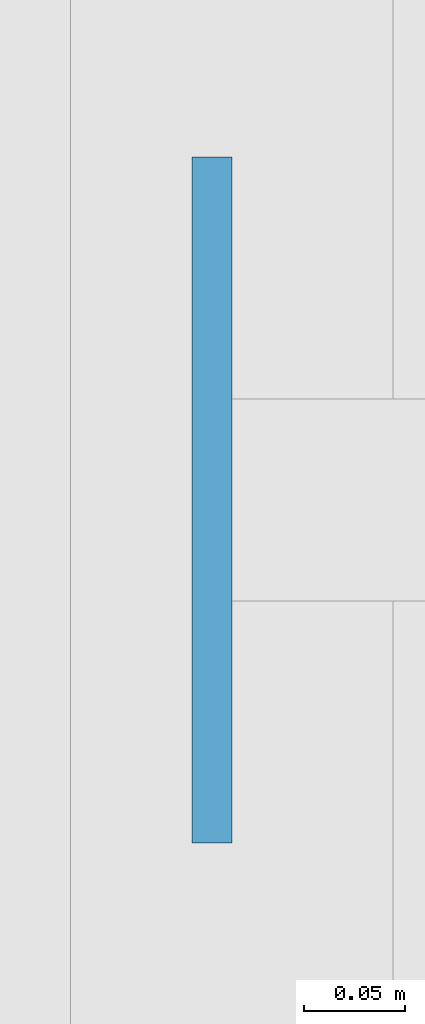
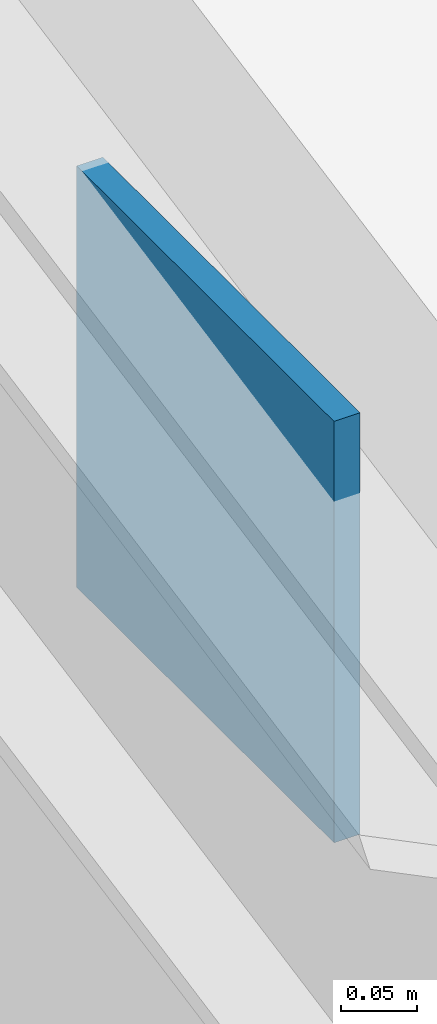
# One storey, part 63 of 80: 1 plate.
"""IFC4 building model written with IfcOpenShell, lengths in metres."""

from ifc_helpers import new_model, si_unit, direction, frame, origin, origin_2d, place, context, subcontext, project, spatial, rectangle, extrude, material, layer, layer_set, type_object, element, save


model = new_model("IFC4")

# Units and contexts
model_context = context("Model", 3, precision=1e-05, world=origin(), true_north=direction((0.0, 1.0)))
body_context = subcontext(model_context, "Body", "Model", "MODEL_VIEW")
ifc_project = project(units=[si_unit("LENGTHUNIT", "METRE"), si_unit("AREAUNIT", "SQUARE_METRE"), si_unit("VOLUMEUNIT", "CUBIC_METRE"), si_unit("PLANEANGLEUNIT", "RADIAN"), si_unit("MASSUNIT", "GRAM", prefix="KILO")], contexts=[model_context])

# Site, building, storey
site_placement = place(None, origin())
site = spatial("IfcSite", under=ifc_project, at=site_placement, CompositionType="ELEMENT")
building_placement = place(site_placement, origin())
building = spatial("IfcBuilding", under=site, at=building_placement, Name="Fikremerkos Civic Library", CompositionType="ELEMENT")
storey_placement = place(building_placement, frame((0.0, 0.0, 9.89990234375)))
storey = spatial("IfcBuildingStorey", under=building, at=storey_placement, Name="L02", CompositionType="ELEMENT", Elevation=9.89990234375)

# Plate
ifc_material = material(Name="Steel S355", Category="steel")
ifc_layer = layer(ifc_material, 0.02001953125, Name="Steel S355")
ifc_layer_set = layer_set([ifc_layer], Name="Steel S355")
plate_type = type_object("IfcPlateType", Name="Steel gusset cap plate GSP-03 340x340x20", PredefinedType="USERDEFINED", material=ifc_layer_set)
plate_placement = place(storey_placement, frame((73.18994140625, 113.280029296875, 2.865234375), z_axis=(0.0, 0.0, 1.0), x_axis=(1.0, 0.0, 0.0)))
element("IfcPlate", 1, at=plate_placement, inside=storey, type_object=plate_type, Name="Steel gusset cap plate GSP-03 #43", ObjectType="GUSSET PLATE", PredefinedType="USERDEFINED", context=body_context, shape_type="SweptSolid", body=[
    extrude(rectangle(XDim=0.02001953125, YDim=0.340087890625, at=origin_2d()), origin(), (0.0, 0.0, 1.0), 0.340087890625),
])

save(model, "model.ifc")
